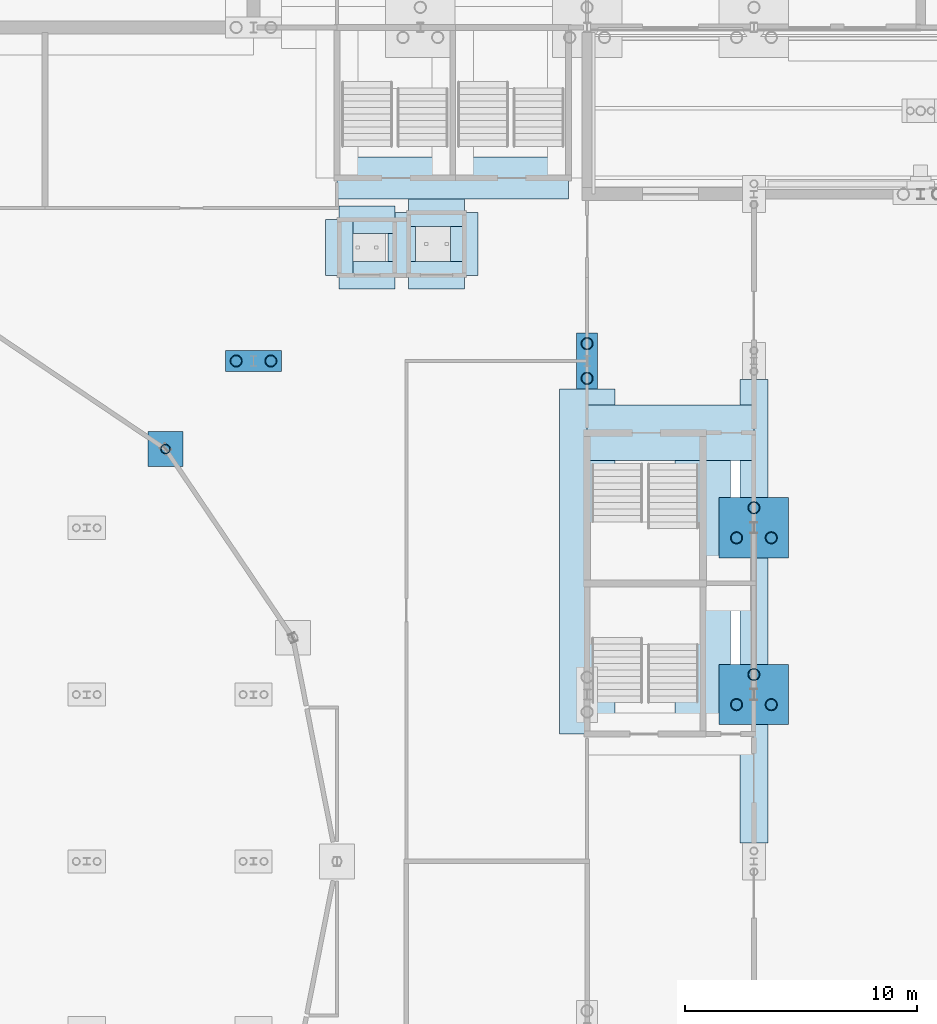
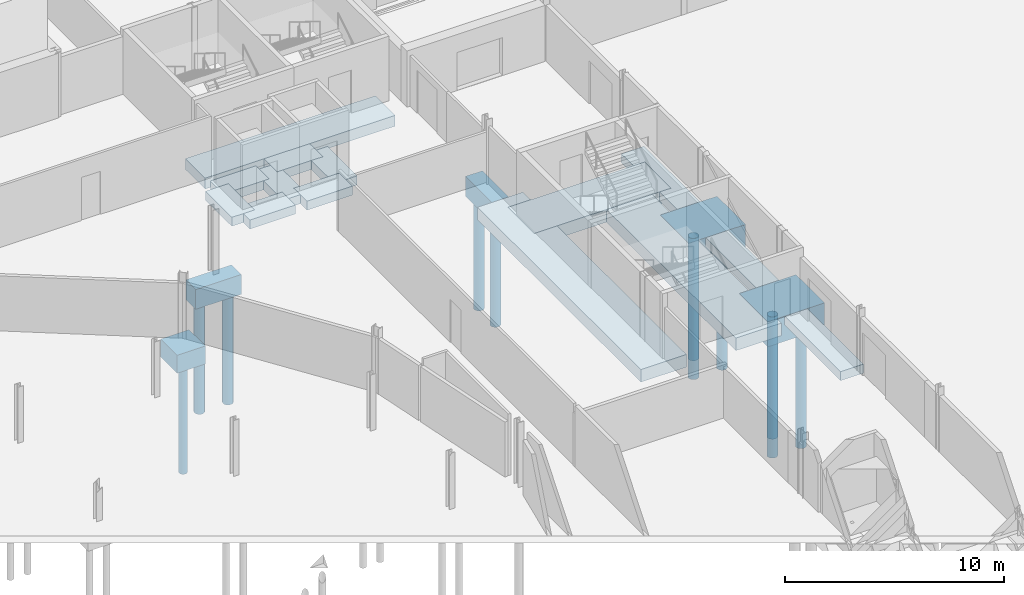
# One storey, part 14 of 148: 17 footings, 11 piles.
"""IFC4 building model written with IfcOpenShell, lengths in metres."""

from ifc_helpers import new_model, si_unit, direction, frame, origin, origin_2d, place, context, subcontext, project, spatial, rectangle, hollow_circle, extrude, material, layer, layer_set, material_profile, profile_set, type_object, element, save


model = new_model("IFC4")

# Units and contexts
model_context = context("Model", 3, precision=1e-05, world=origin(), true_north=direction((0.0, 1.0)))
body_context = subcontext(model_context, "Body", "Model", "MODEL_VIEW")
ifc_project = project(units=[si_unit("LENGTHUNIT", "METRE"), si_unit("AREAUNIT", "SQUARE_METRE"), si_unit("VOLUMEUNIT", "CUBIC_METRE"), si_unit("PLANEANGLEUNIT", "RADIAN"), si_unit("MASSUNIT", "GRAM", prefix="KILO")], contexts=[model_context])

# Site, building, storey
site_placement = place(None, origin())
site = spatial("IfcSite", under=ifc_project, at=site_placement, CompositionType="ELEMENT")
building_placement = place(site_placement, origin())
building = spatial("IfcBuilding", under=site, at=building_placement, Name="Kupolbacken Congress Centre", CompositionType="ELEMENT")
storey_placement = place(building_placement, origin())
storey = spatial("IfcBuildingStorey", under=building, at=storey_placement, Name="L00", CompositionType="ELEMENT", Elevation=0.0)

# Footings
ifc_material_1 = material(Name="Concrete C30/37", Category="concrete")
ifc_layer_1 = layer(ifc_material_1, 1.10009765625)
ifc_layer_set_1 = layer_set([ifc_layer_1], Name="Concrete C30/37")
footing_type_1 = type_object("IfcFootingType", Name="PC2 pile cap 2.40 x 0.90 x 1.10 m", PredefinedType="PILE_CAP", material=ifc_layer_set_1)
footing_1_placement = place(storey_placement, frame((79.199951171875, 108.0, -1.400146484375), z_axis=(0.0, 0.0, 1.0), x_axis=(1.0, 0.0, 0.0)))
element("IfcFooting", 1, at=footing_1_placement, inside=storey, type_object=footing_type_1, Name="S/fnd/C-P-12R/cap", PredefinedType="PILE_CAP", context=body_context, shape_type="SweptSolid", body=[
    extrude(rectangle(XDim=0.89990234375, YDim=2.39990234375, at=origin_2d()), origin(), (0.0, 0.0, 1.0), 1.10009765625),
])
footing_2_placement = place(storey_placement, frame((64.800048828125, 108.0, -1.400146484375), z_axis=(0.0, 0.0, 1.0), x_axis=(1.0, 0.0, 0.0)))
element("IfcFooting", 2, at=footing_2_placement, inside=storey, type_object=footing_type_1, Name="S/fnd/C-P-10R/cap", PredefinedType="PILE_CAP", context=body_context, shape_type="SweptSolid", body=[
    extrude(rectangle(XDim=2.39990234375, YDim=0.89990234375, at=origin_2d()), origin(), (0.0, 0.0, 1.0), 1.10009765625),
])
ifc_material_2 = material(Name="Concrete C30/37", Category="concrete")
ifc_layer_2 = layer(ifc_material_2, 1.39990234375)
ifc_layer_set_2 = layer_set([ifc_layer_2], Name="Concrete C30/37")
footing_type_2 = type_object("IfcFootingType", Name="PC5 pile cap 3.00 x 2.60 x 1.40 m", PredefinedType="PILE_CAP", material=ifc_layer_set_2)
for number, where, z_axis, x_axis, name in (
    (3, (86.39990234375, 93.60009765625, -1.699951171875), (0.0, 0.0, 1.0), (1.0, 0.0, 0.0), "S/fnd/C-H-PW08/cap"),
    (4, (86.39990234375, 100.800048828125, -1.699951171875), (0.0, 0.0, 1.0), (1.0, 0.0, 0.0), "S/fnd/C-H-PW09/cap"),
):
    element("IfcFooting", number, at=place(storey_placement, frame(where, z_axis=z_axis, x_axis=x_axis)), inside=storey, type_object=footing_type_2, Name=name, PredefinedType="PILE_CAP", context=body_context, shape_type="SweptSolid", body=[
        extrude(rectangle(XDim=3.0, YDim=2.60009765625, at=origin_2d()), origin(), (0.0, 0.0, 1.0), 1.39990234375),
    ])
ifc_material_3 = material(Name="Concrete C30/37", Category="concrete")
ifc_layer_3 = layer(ifc_material_3, 1.0)
ifc_layer_set_3 = layer_set([ifc_layer_3], Name="Concrete C30/37")
footing_type_3 = type_object("IfcFootingType", Name="PC8 pile cap 1.50 x 1.50 x 1.00 m", PredefinedType="PILE_CAP", material=ifc_layer_set_3)
footing_3_placement = place(storey_placement, frame((61.0, 104.199951171875, -1.300048828125), z_axis=(0.0, 0.0, 1.0), x_axis=(1.0, 0.0, 0.0)))
element("IfcFooting", 5, at=footing_3_placement, inside=storey, type_object=footing_type_3, Name="S/fnd/C-D03/cap", PredefinedType="PILE_CAP", context=body_context, shape_type="SweptSolid", body=[
    extrude(rectangle(XDim=1.5, YDim=1.5, at=origin_2d()), origin(), (0.0, 0.0, 1.0), 1.0),
])

# Piles
ifc_material_4 = material(Name="Steel S355", Category="steel")
ifc_material_profile_1 = material_profile(ifc_material_4, hollow_circle(Radius=0.203125, WallThickness=0.01611328125, at=origin_2d()), Name="CHS 406.4 x 16")
ifc_profile_set_1 = profile_set([ifc_material_profile_1], Name="Steel S355")
pile_type_1 = type_object("IfcPileType", Name="PL2 steel tube pile CHS 406.4 x 16", PredefinedType="BORED", material=ifc_profile_set_1)
pile_placement = place(storey_placement, frame((61.0, 104.199951171875, -1.300048828125), z_axis=(0.0, 0.0, -1.0), x_axis=(1.0, 0.0, 0.0)))
element("IfcPile", 6, at=pile_placement, inside=storey, type_object=pile_type_1, Name="S/fnd/C-D03/pile1", PredefinedType="BORED", context=body_context, shape_type="SweptSolid", body=[
    extrude(hollow_circle(Radius=0.203125, WallThickness=0.01611328125, at=origin_2d()), origin(), (0.0, 0.0, 1.0), 6.199951171875),
])
ifc_material_5 = material(Name="Steel S355", Category="steel")
ifc_material_profile_2 = material_profile(ifc_material_5, hollow_circle(Radius=0.25390625, WallThickness=0.02001953125, at=origin_2d()), Name="CHS 508 x 20")
ifc_profile_set_2 = profile_set([ifc_material_profile_2], Name="Steel S355")
pile_type_2 = type_object("IfcPileType", Name="PL3 steel tube pile CHS 508 x 20", PredefinedType="BORED", material=ifc_profile_set_2)
for number, where, z_axis, x_axis, name in (
    (7, (79.199951171875, 107.25, -1.39990234375), (0.0, 0.0, -1.0), (1.0, 0.0, 0.0), "S/fnd/C-P-12R/pile1"),
    (8, (79.199951171875, 108.75, -1.39990234375), (0.0, 0.0, -1.0), (1.0, 0.0, 0.0), "S/fnd/C-P-12R/pile2"),
    (9, (64.050048828125, 108.0, -1.39990234375), (0.0, 0.0, -1.0), (1.0, 0.0, 0.0), "S/fnd/C-P-10R/pile1"),
    (10, (65.550048828125, 108.0, -1.39990234375), (0.0, 0.0, -1.0), (1.0, 0.0, 0.0), "S/fnd/C-P-10R/pile2"),
):
    element("IfcPile", number, at=place(storey_placement, frame(where, z_axis=z_axis, x_axis=x_axis)), inside=storey, type_object=pile_type_2, Name=name, PredefinedType="BORED", context=body_context, shape_type="SweptSolid", body=[
        extrude(hollow_circle(Radius=0.25390625, WallThickness=0.02001953125, at=origin_2d()), origin(), (0.0, 0.0, 1.0), 6.10009765625),
    ])
for number, where, z_axis, x_axis, name in (
    (11, (85.64990234375, 93.16650390625, -1.699951171875), (0.0, 0.0, -1.0), (1.0, 0.0, 0.0), "S/fnd/C-H-PW08/pile1"),
    (12, (87.14990234375, 93.16650390625, -1.699951171875), (0.0, 0.0, -1.0), (1.0, 0.0, 0.0), "S/fnd/C-H-PW08/pile2"),
    (13, (86.39990234375, 94.465576171875, -1.699951171875), (0.0, 0.0, -1.0), (1.0, 0.0, 0.0), "S/fnd/C-H-PW08/pile3"),
    (14, (85.64990234375, 100.366455078125, -1.699951171875), (0.0, 0.0, -1.0), (1.0, 0.0, 0.0), "S/fnd/C-H-PW09/pile1"),
    (15, (87.14990234375, 100.366455078125, -1.699951171875), (0.0, 0.0, -1.0), (1.0, 0.0, 0.0), "S/fnd/C-H-PW09/pile2"),
    (16, (86.39990234375, 101.66552734375, -1.699951171875), (0.0, 0.0, -1.0), (1.0, 0.0, 0.0), "S/fnd/C-H-PW09/pile3"),
):
    element("IfcPile", number, at=place(storey_placement, frame(where, z_axis=z_axis, x_axis=x_axis)), inside=storey, type_object=pile_type_2, Name=name, PredefinedType="BORED", context=body_context, shape_type="SweptSolid", body=[
        extrude(hollow_circle(Radius=0.25390625, WallThickness=0.02001953125, at=origin_2d()), origin(), (0.0, 0.0, 1.0), 6.800048828125),
    ])

# Footings
ifc_material_6 = material(Name="Concrete C30/37", Category="concrete")
ifc_layer_4 = layer(ifc_material_6, 0.5)
ifc_layer_set_4 = layer_set([ifc_layer_4], Name="Concrete C30/37")
footing_type_4 = type_object("IfcFootingType", Name="SF1 strip footing 1.20 x 0.50 m", PredefinedType="STRIP_FOOTING", material=ifc_layer_set_4)
footing_4_placement = place(storey_placement, frame((86.39990234375, 97.199951171875, -0.800048828125), z_axis=(0.0, 0.0, 1.0), x_axis=(0.0, 1.0, 0.0)))
element("IfcFooting", 17, at=footing_4_placement, inside=storey, type_object=footing_type_4, Name="S/fnd/core/055", PredefinedType="STRIP_FOOTING", context=body_context, shape_type="SweptSolid", body=[
    extrude(rectangle(XDim=20.0, YDim=1.199951171875, at=origin_2d()), origin(), (0.0, 0.0, 1.0), 0.5),
])
footing_5_placement = place(storey_placement, frame((69.699951171875, 111.699951171875, -0.800048828125), z_axis=(0.0, 0.0, 1.0), x_axis=(1.0, 0.0, 0.0)))
element("IfcFooting", 18, at=footing_5_placement, inside=storey, type_object=footing_type_4, Name="S/fnd/lift/033", PredefinedType="STRIP_FOOTING", context=body_context, shape_type="SweptSolid", body=[
    extrude(rectangle(XDim=2.39990234375, YDim=1.199951171875, at=origin_2d()), origin(), (0.0, 0.0, 1.0), 0.5),
])
footing_6_placement = place(storey_placement, frame((71.199951171875, 113.050048828125, -0.800048828125), z_axis=(0.0, 0.0, 1.0), x_axis=(0.0, 1.0, 0.0)))
element("IfcFooting", 19, at=footing_6_placement, inside=storey, type_object=footing_type_4, Name="S/fnd/lift/034", PredefinedType="STRIP_FOOTING", context=body_context, shape_type="SweptSolid", body=[
    extrude(rectangle(XDim=2.699951171875, YDim=1.199951171875, at=origin_2d()), origin(), (0.0, 0.0, 1.0), 0.5),
])
for number, where, z_axis, x_axis, name in (
    (20, (69.699951171875, 114.10009765625, -0.800048828125), (0.0, 0.0, 1.0), (1.0, 0.0, 0.0), "S/fnd/lift/035"),
    (21, (68.5, 112.89990234375, -0.800048828125), (0.0, 0.0, 1.0), (0.0, 1.0, 0.0), "S/fnd/lift/036"),
    (22, (72.699951171875, 111.699951171875, -0.800048828125), (0.0, 0.0, 1.0), (1.0, 0.0, 0.0), "S/fnd/lift/037"),
):
    element("IfcFooting", number, at=place(storey_placement, frame(where, z_axis=z_axis, x_axis=x_axis)), inside=storey, type_object=footing_type_4, Name=name, PredefinedType="STRIP_FOOTING", context=body_context, shape_type="SweptSolid", body=[
        extrude(rectangle(XDim=2.39990234375, YDim=1.199951171875, at=origin_2d()), origin(), (0.0, 0.0, 1.0), 0.5),
    ])
footing_7_placement = place(storey_placement, frame((73.89990234375, 113.050048828125, -0.800048828125), z_axis=(0.0, 0.0, 1.0), x_axis=(0.0, 1.0, 0.0)))
element("IfcFooting", 23, at=footing_7_placement, inside=storey, type_object=footing_type_4, Name="S/fnd/lift/038", PredefinedType="STRIP_FOOTING", context=body_context, shape_type="SweptSolid", body=[
    extrude(rectangle(XDim=2.699951171875, YDim=1.199951171875, at=origin_2d()), origin(), (0.0, 0.0, 1.0), 0.5),
])
footing_8_placement = place(storey_placement, frame((72.699951171875, 114.39990234375, -0.800048828125), z_axis=(0.0, 0.0, 1.0), x_axis=(1.0, 0.0, 0.0)))
element("IfcFooting", 24, at=footing_8_placement, inside=storey, type_object=footing_type_4, Name="S/fnd/lift/039", PredefinedType="STRIP_FOOTING", context=body_context, shape_type="SweptSolid", body=[
    extrude(rectangle(XDim=2.39990234375, YDim=1.199951171875, at=origin_2d()), origin(), (0.0, 0.0, 1.0), 0.5),
])
ifc_material_7 = material(Name="Concrete C30/37", Category="concrete")
ifc_layer_5 = layer(ifc_material_7, 0.60009765625)
ifc_layer_set_5 = layer_set([ifc_layer_5], Name="Concrete C30/37")
footing_type_5 = type_object("IfcFootingType", Name="SF2 strip footing 1.80 x 0.60 m", PredefinedType="STRIP_FOOTING", material=ifc_layer_set_5)
footing_9_placement = place(storey_placement, frame((73.39990234375, 115.89990234375, -0.900146484375), z_axis=(0.0, 0.0, 1.0), x_axis=(1.0, 0.0, 0.0)))
element("IfcFooting", 25, at=footing_9_placement, inside=storey, type_object=footing_type_5, Name="S/fnd/core/068", PredefinedType="STRIP_FOOTING", context=body_context, shape_type="SweptSolid", body=[
    extrude(rectangle(XDim=10.0, YDim=1.800048828125, at=origin_2d()), origin(), (0.0, 0.0, 1.0), 0.60009765625),
])
ifc_material_8 = material(Name="Concrete C30/37", Category="concrete")
ifc_layer_6 = layer(ifc_material_8, 0.699951171875)
ifc_layer_set_6 = layer_set([ifc_layer_6], Name="Concrete C30/37")
footing_type_6 = type_object("IfcFootingType", Name="SF3 strip footing 2.40 x 0.70 m", PredefinedType="STRIP_FOOTING", material=ifc_layer_set_6)
footing_10_placement = place(storey_placement, frame((84.199951171875, 98.39990234375, -1.0), z_axis=(0.0, 0.0, 1.0), x_axis=(0.0, 1.0, 0.0)))
element("IfcFooting", 26, at=footing_10_placement, inside=storey, type_object=footing_type_6, Name="S/fnd/core/054", PredefinedType="STRIP_FOOTING", context=body_context, shape_type="SweptSolid", body=[
    extrude(rectangle(XDim=13.0, YDim=2.39990234375, at=origin_2d()), origin(), (0.0, 0.0, 1.0), 0.699951171875),
])
footing_11_placement = place(storey_placement, frame((79.199951171875, 99.35009765625, -1.0), z_axis=(0.0, 0.0, 1.0), x_axis=(0.0, 1.0, 0.0)))
element("IfcFooting", 27, at=footing_11_placement, inside=storey, type_object=footing_type_6, Name="S/fnd/core/056", PredefinedType="STRIP_FOOTING", context=body_context, shape_type="SweptSolid", body=[
    extrude(rectangle(XDim=14.89990234375, YDim=2.39990234375, at=origin_2d()), origin(), (0.0, 0.0, 1.0), 0.699951171875),
])
footing_12_placement = place(storey_placement, frame((82.800048828125, 104.89990234375, -1.0), z_axis=(0.0, 0.0, 1.0), x_axis=(1.0, 0.0, 0.0)))
element("IfcFooting", 28, at=footing_12_placement, inside=storey, type_object=footing_type_6, Name="S/fnd/core/062", PredefinedType="STRIP_FOOTING", context=body_context, shape_type="SweptSolid", body=[
    extrude(rectangle(XDim=7.199951171875, YDim=2.39990234375, at=origin_2d()), origin(), (0.0, 0.0, 1.0), 0.699951171875),
])

save(model, "model.ifc")
